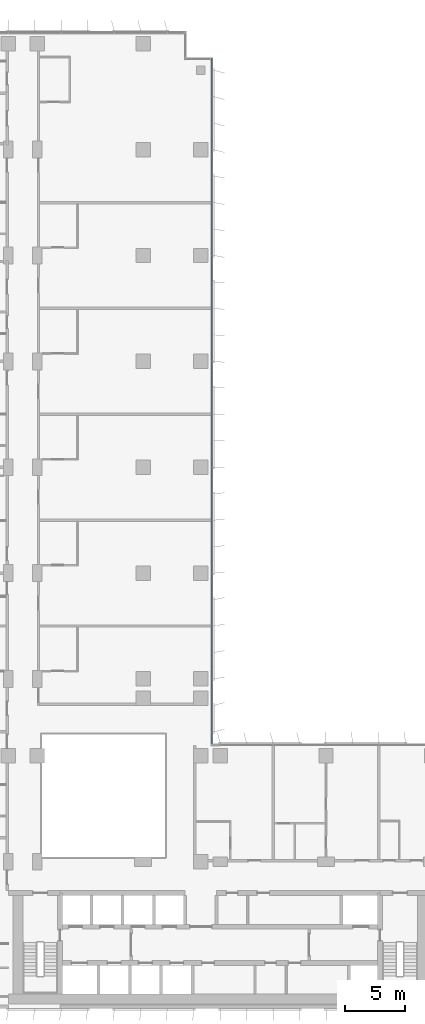
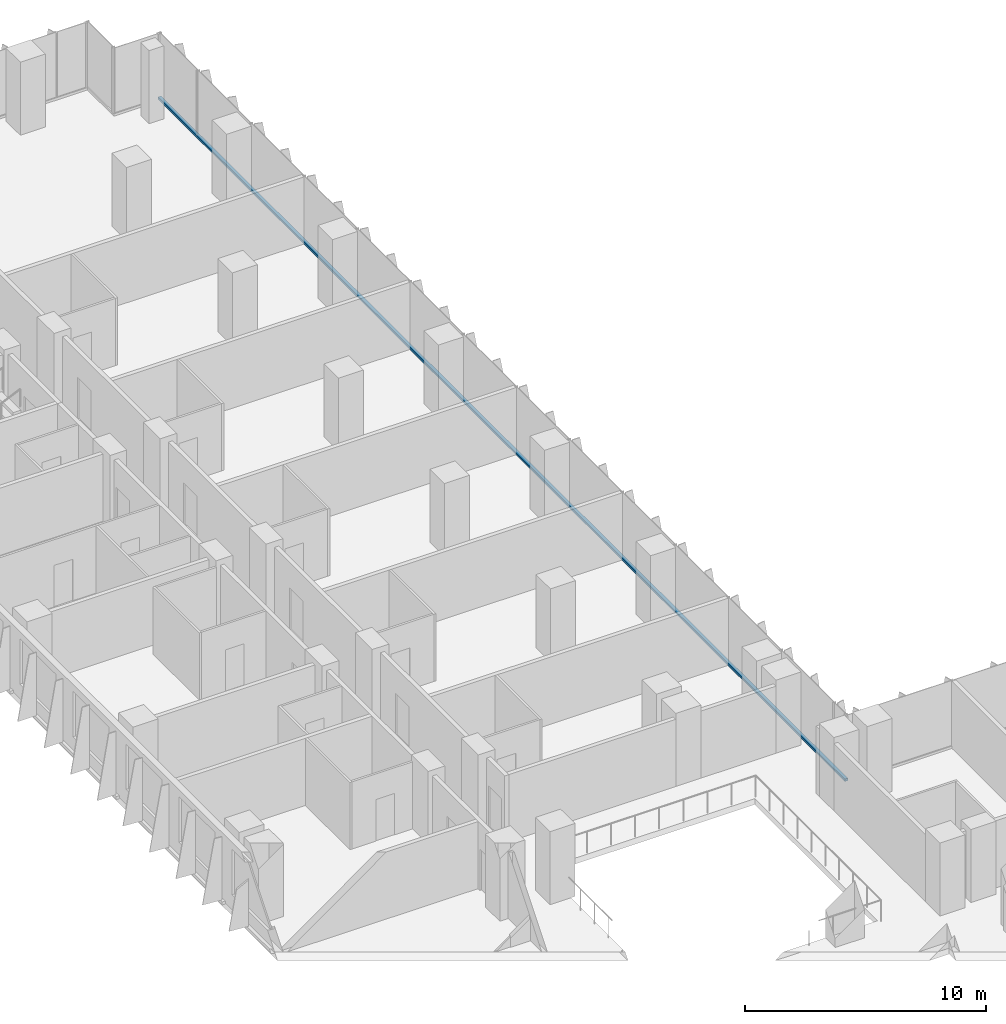
# One storey, part 6 of 22: 1 member, 1 element without a shape of its own.
"""IFC4 building model written with IfcOpenShell, lengths in metres."""

import ifcopenshell
import ifcopenshell.guid

model = None  # the IFC model being written
_history = None  # IfcOwnerHistory: only IFC2X3 demands one
_inside = {}  # id of a spatial element -> (the spatial element, [elements in it])
_under = {}  # id of a project, library or spatial element -> (it, [spatial elements below it])
_declared = {}  # id of a project -> (the project, [libraries it declares])
_typed = {}  # id of a type object -> (the type object, [elements of that type])
_made_of = {}  # id of a material, layer set ... -> (it, [elements and type objects made of it])


def new_model(schema):
    """Start an empty IFC model of exactly this schema.

    Asked for "IFC4X3", IfcOpenShell would pick the latest addendum, in which some entities
    have other attributes; the version numbers below select the first issue.
    IFC2X3 requires an IfcOwnerHistory on every rooted entity: one is made here for all.
    """
    global model, _history
    if schema == "IFC4X3":
        model = ifcopenshell.file(schema_version=(4, 3, 0, 0))
    else:
        model = ifcopenshell.file(schema=schema)
    _inside.clear()
    _under.clear()
    _declared.clear()
    _typed.clear()
    _made_of.clear()
    _history = None
    if model.schema == "IFC2X3":
        org = make("IfcOrganization", Name="unknown")
        user = make(
            "IfcPersonAndOrganization",
            ThePerson=make("IfcPerson", FamilyName="unknown"),
            TheOrganization=org,
        )
        app = make(
            "IfcApplication",
            ApplicationDeveloper=org,
            Version="unknown",
            ApplicationFullName="unknown",
            ApplicationIdentifier="unknown",
        )
        _history = make(
            "IfcOwnerHistory",
            OwningUser=user,
            OwningApplication=app,
            ChangeAction="ADDED",
            CreationDate=0,
        )
    return model


def make(cls, **values):
    """One entity of the class cls with the attributes given. An attribute that is None is left unset."""
    return model.create_entity(
        cls, **{name: value for name, value in values.items() if value is not None}
    )


def rooted(cls, **values):
    """An entity with a GlobalId (a new one), such as an element, a storey or a relation."""
    return make(cls, GlobalId=ifcopenshell.guid.new(), OwnerHistory=_history, **values)


def si_unit(unit_type, name, prefix=None):
    """IfcSIUnit, for example si_unit("LENGTHUNIT", "METRE", prefix="MILLI")."""
    return make("IfcSIUnit", UnitType=unit_type, Prefix=prefix, Name=name)


def assignment(units):
    """IfcUnitAssignment: the units of a project."""
    return None if units is None else make("IfcUnitAssignment", Units=units)


def point(xyz):
    """IfcCartesianPoint."""
    return None if xyz is None else make("IfcCartesianPoint", Coordinates=xyz)


def direction(xyz):
    """IfcDirection."""
    return None if xyz is None else make("IfcDirection", DirectionRatios=xyz)


def frame(location, z_axis=None, x_axis=None):
    """IfcAxis2Placement3D, a coordinate frame: its origin and axes. An axis left out is left unset."""
    return make(
        "IfcAxis2Placement3D",
        Location=point(location),
        Axis=direction(z_axis),
        RefDirection=direction(x_axis),
    )


def frame_2d(location, x_axis=None):
    """IfcAxis2Placement2D, a coordinate frame in the plane: its origin and x axis."""
    return make(
        "IfcAxis2Placement2D", Location=point(location), RefDirection=direction(x_axis)
    )


def origin():
    """The frame at (0, 0, 0) with its axes left unset."""
    return frame((0.0, 0.0, 0.0))


def origin_2d():
    """The frame at (0, 0) in the plane with its x axis left unset."""
    return frame_2d((0.0, 0.0))


def place(relative_to, where):
    """IfcLocalPlacement: puts the frame where relative to a parent placement (None: the world)."""
    return make(
        "IfcLocalPlacement", PlacementRelTo=relative_to, RelativePlacement=where
    )


def context(
    kind, dimensions, precision=None, world=None, true_north=None, identifier=None
):
    """IfcGeometricRepresentationContext, for example the 3D "Model" context."""
    return make(
        "IfcGeometricRepresentationContext",
        ContextIdentifier=identifier,
        ContextType=kind,
        CoordinateSpaceDimension=dimensions,
        Precision=precision,
        WorldCoordinateSystem=world,
        TrueNorth=true_north,
    )


def subcontext(parent, identifier, kind, view, scale=None):
    """IfcGeometricRepresentationSubContext, for example "Body" below "Model"."""
    return make(
        "IfcGeometricRepresentationSubContext",
        ContextIdentifier=identifier,
        ContextType=kind,
        ParentContext=parent,
        TargetScale=scale,
        TargetView=view,
    )


def project(units=None, contexts=None):
    """IfcProject with its units and contexts."""
    return rooted(
        "IfcProject",
        Name="project",
        RepresentationContexts=contexts,
        UnitsInContext=assignment(units),
    )


def spatial(cls, under=None, at=None, **own):
    """A site, building, storey or space (cls), placed at a placement, below another one or the project."""
    s = rooted(cls, ObjectPlacement=at, **own)
    if under is not None:
        _under.setdefault(under.id(), (under, []))[1].append(s)
    return s


def profile(cls, at=None, kind="AREA", **sizes):
    """A parametric profile (cls). Its sizes go by their IFC names, for example OverallWidth=200.0."""
    return make(cls, ProfileType=kind, Position=at, **sizes)


def rectangle(**sizes):
    """IfcRectangleProfileDef."""
    return profile("IfcRectangleProfileDef", **sizes)


def extrude(swept, where, along, depth):
    """IfcExtrudedAreaSolid: the profile swept, set in the frame where, extruded along a direction by depth."""
    return make(
        "IfcExtrudedAreaSolid",
        SweptArea=swept,
        Position=where,
        ExtrudedDirection=direction(along),
        Depth=depth,
    )


def shape(context_of_items, identifier, shape_type, items):
    """IfcShapeRepresentation: the items that make up one representation, for example the "Body"."""
    return make(
        "IfcShapeRepresentation",
        ContextOfItems=context_of_items,
        RepresentationIdentifier=identifier,
        RepresentationType=shape_type,
        Items=items,
    )


def material(Name=None, Category=None):
    """IfcMaterial."""
    return make("IfcMaterial", Name=Name, Category=Category)


def material_profile(
    of_material, cross_section, Name=None, Category=None, Priority=None
):
    """IfcMaterialProfile: a cross section and its material."""
    return make(
        "IfcMaterialProfile",
        Name=Name,
        Material=of_material,
        Profile=cross_section,
        Priority=Priority,
        Category=Category,
    )


def profile_set(profiles, Name=None, composite=None):
    """IfcMaterialProfileSet."""
    return make(
        "IfcMaterialProfileSet",
        Name=Name,
        MaterialProfiles=profiles,
        CompositeProfile=composite,
    )


def made_of(thing, what):
    """Note that an element or type object is made of a material, layer set ...; save() writes the relation."""
    if what is not None:
        _made_of.setdefault(what.id(), (what, []))[1].append(thing)
    return thing


def type_object(cls, material=None, **own):
    """A type object (cls), such as IfcWallType, which elements share."""
    return made_of(rooted(cls, **own), material)


def element(
    cls,
    number,
    at=None,
    inside=None,
    cuts=None,
    type_object=None,
    material=None,
    context=None,
    identifier="Body",
    shape_type=None,
    held_by="IfcProductDefinitionShape",
    body=None,
    shapes=None,
    **own,
):
    """One element of the class cls, such as IfcWall. Its Tag is "e" and its number.

    at: its placement. inside: the storey or other place that contains it. cuts: it is an
    opening in that element (IfcRelVoidsElement). A single representation is given by context,
    identifier, shape_type and body (its items); several are given by shapes. held_by: the class
    of the entity that holds the representations. save() writes the other relations.
    """
    e = rooted(cls, Tag="e%d" % number, ObjectPlacement=at, **own)
    if body is not None:
        shapes = [shape(context, identifier, shape_type, body)]
    if shapes is not None:
        e.Representation = make(held_by, Representations=shapes)
    if inside is not None:
        _inside.setdefault(inside.id(), (inside, []))[1].append(e)
    if cuts is not None:
        rooted(
            "IfcRelVoidsElement", RelatingBuildingElement=cuts, RelatedOpeningElement=e
        )
    if type_object is not None:
        _typed.setdefault(type_object.id(), (type_object, []))[1].append(e)
    return made_of(e, material)


def aggregate(whole, parts):
    """IfcRelAggregates: a whole, such as a stair, and the parts it consists of."""
    return rooted("IfcRelAggregates", RelatingObject=whole, RelatedObjects=parts)


def save(model, path):
    """Write the relations noted so far, then the file.

    IfcRelAggregates (storeys below a building ...), IfcRelContainedInSpatialStructure (elements
    in a storey), IfcRelDefinesByType, IfcRelAssociatesMaterial and IfcRelDeclares: one each for
    every whole, place, type object, material and project.
    """
    for whole, parts in _under.values():
        aggregate(whole, parts)
    for where, things in _inside.values():
        rooted(
            "IfcRelContainedInSpatialStructure",
            RelatedElements=things,
            RelatingStructure=where,
        )
    for kind, things in _typed.values():
        rooted("IfcRelDefinesByType", RelatedObjects=things, RelatingType=kind)
    for what, things in _made_of.values():
        rooted("IfcRelAssociatesMaterial", RelatedObjects=things, RelatingMaterial=what)
    for by, libraries in _declared.values():
        rooted("IfcRelDeclares", RelatingContext=by, RelatedDefinitions=libraries)
    model.write(path)


model = new_model("IFC4")

# Units and contexts
model_context = context("Model", 3, precision=1e-05, world=origin(), true_north=direction((0.0, 1.0)))
body_context = subcontext(model_context, "Body", "Model", "MODEL_VIEW")
ifc_project = project(units=[si_unit("LENGTHUNIT", "METRE"), si_unit("AREAUNIT", "SQUARE_METRE"), si_unit("VOLUMEUNIT", "CUBIC_METRE"), si_unit("PLANEANGLEUNIT", "RADIAN"), si_unit("MASSUNIT", "GRAM", prefix="KILO")], contexts=[model_context])

# Site, building, storey
site_placement = place(None, origin())
site = spatial("IfcSite", under=ifc_project, at=site_placement, CompositionType="ELEMENT")
building_placement = place(site_placement, origin())
building = spatial("IfcBuilding", under=site, at=building_placement, Name="Kemantara Hotel Tower", CompositionType="ELEMENT")
storey_placement = place(building_placement, frame((0.0, 0.0, 145.699951171875)))
storey = spatial("IfcBuildingStorey", under=building, at=storey_placement, Name="L35", CompositionType="ELEMENT", Elevation=145.699951171875)

# Curtain wall, member
ifc_material_1 = material(Name="Low-E tinted double insulated glass 36 mm", Category="glass")
curtain_wall_type = type_object("IfcCurtainWallType", Name="TOWER CURTAIN WALL, FRONT FACES", PredefinedType="USERDEFINED", material=ifc_material_1)
curtain_wall_placement = place(storey_placement, origin())
curtain_wall = element("IfcCurtainWall", 1, at=curtain_wall_placement, inside=storey, type_object=curtain_wall_type, Name="CW4 L35 T2-R14-1", ObjectType="TOWER CURTAIN WALL, FRONT FACES", PredefinedType="USERDEFINED")
ifc_material_2 = material(Name="Aluminium 6063-T6 bronze anodised", Category="aluminium")
ifc_material_profile = material_profile(ifc_material_2, rectangle(XDim=0.14990234375, YDim=0.1201171875, at=origin_2d()), Name="TOWER CURTAIN WALL, FRONT FACES TRANSOM")
ifc_profile_set = profile_set([ifc_material_profile], Name="Aluminium 6063-T6 bronze anodised")
member_type = type_object("IfcMemberType", Name="TOWER CURTAIN WALL, FRONT FACES TRANSOM", PredefinedType="USERDEFINED", material=ifc_profile_set)
member_placement = place(storey_placement, frame((26.72509765625, 22.0, 0.06005859375), z_axis=(0.0, 1.0, 0.0), x_axis=(-1.0, 0.0, 0.0)))
member = element("IfcMember", 2, at=member_placement, type_object=member_type, Name="CW4 sill transom T2-R14-1", ObjectType="TRANSOM", PredefinedType="USERDEFINED", context=body_context, shape_type="SweptSolid", body=[
    extrude(rectangle(XDim=0.14990234375, YDim=0.1201171875, at=origin_2d()), origin(), (0.0, 0.0, 1.0), 57.0),
])
aggregate(curtain_wall, [member])

save(model, "model.ifc")
